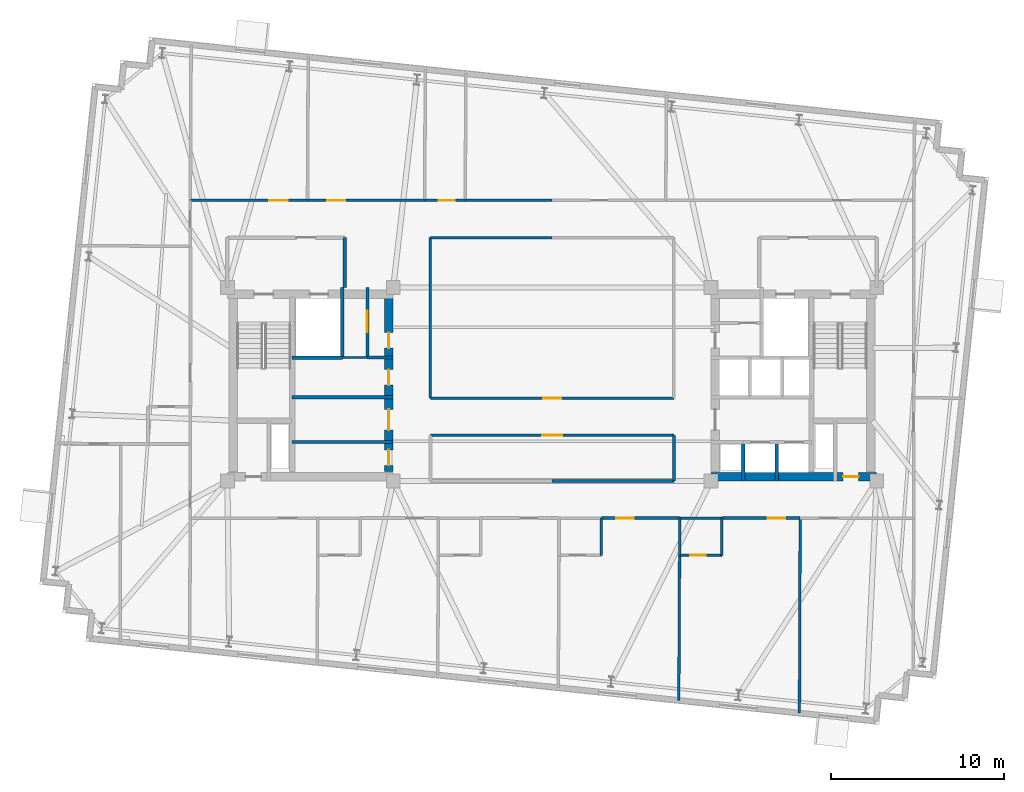
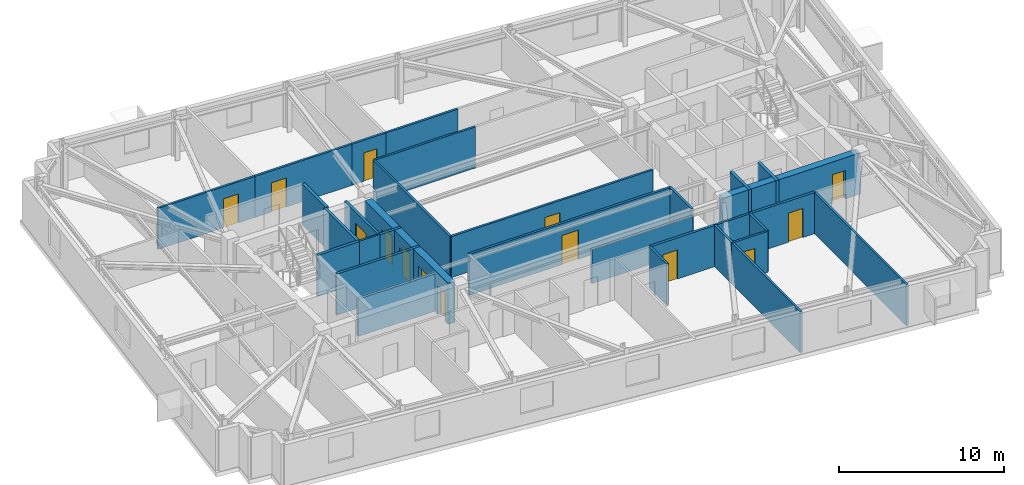
# One storey, part 7 of 11: 31 walls, 14 doors, 14 openings.
"""IFC4 building model written with IfcOpenShell, lengths in metres."""

import ifcopenshell
import ifcopenshell.guid

model = None  # the IFC model being written
_history = None  # IfcOwnerHistory: only IFC2X3 demands one
_inside = {}  # id of a spatial element -> (the spatial element, [elements in it])
_under = {}  # id of a project, library or spatial element -> (it, [spatial elements below it])
_declared = {}  # id of a project -> (the project, [libraries it declares])
_typed = {}  # id of a type object -> (the type object, [elements of that type])
_made_of = {}  # id of a material, layer set ... -> (it, [elements and type objects made of it])


def new_model(schema):
    """Start an empty IFC model of exactly this schema.

    Asked for "IFC4X3", IfcOpenShell would pick the latest addendum, in which some entities
    have other attributes; the version numbers below select the first issue.
    IFC2X3 requires an IfcOwnerHistory on every rooted entity: one is made here for all.
    """
    global model, _history
    if schema == "IFC4X3":
        model = ifcopenshell.file(schema_version=(4, 3, 0, 0))
    else:
        model = ifcopenshell.file(schema=schema)
    _inside.clear()
    _under.clear()
    _declared.clear()
    _typed.clear()
    _made_of.clear()
    _history = None
    if model.schema == "IFC2X3":
        org = make("IfcOrganization", Name="unknown")
        user = make(
            "IfcPersonAndOrganization",
            ThePerson=make("IfcPerson", FamilyName="unknown"),
            TheOrganization=org,
        )
        app = make(
            "IfcApplication",
            ApplicationDeveloper=org,
            Version="unknown",
            ApplicationFullName="unknown",
            ApplicationIdentifier="unknown",
        )
        _history = make(
            "IfcOwnerHistory",
            OwningUser=user,
            OwningApplication=app,
            ChangeAction="ADDED",
            CreationDate=0,
        )
    return model


def make(cls, **values):
    """One entity of the class cls with the attributes given. An attribute that is None is left unset."""
    return model.create_entity(
        cls, **{name: value for name, value in values.items() if value is not None}
    )


def rooted(cls, **values):
    """An entity with a GlobalId (a new one), such as an element, a storey or a relation."""
    return make(cls, GlobalId=ifcopenshell.guid.new(), OwnerHistory=_history, **values)


def si_unit(unit_type, name, prefix=None):
    """IfcSIUnit, for example si_unit("LENGTHUNIT", "METRE", prefix="MILLI")."""
    return make("IfcSIUnit", UnitType=unit_type, Prefix=prefix, Name=name)


def assignment(units):
    """IfcUnitAssignment: the units of a project."""
    return None if units is None else make("IfcUnitAssignment", Units=units)


def point(xyz):
    """IfcCartesianPoint."""
    return None if xyz is None else make("IfcCartesianPoint", Coordinates=xyz)


def direction(xyz):
    """IfcDirection."""
    return None if xyz is None else make("IfcDirection", DirectionRatios=xyz)


def frame(location, z_axis=None, x_axis=None):
    """IfcAxis2Placement3D, a coordinate frame: its origin and axes. An axis left out is left unset."""
    return make(
        "IfcAxis2Placement3D",
        Location=point(location),
        Axis=direction(z_axis),
        RefDirection=direction(x_axis),
    )


def frame_2d(location, x_axis=None):
    """IfcAxis2Placement2D, a coordinate frame in the plane: its origin and x axis."""
    return make(
        "IfcAxis2Placement2D", Location=point(location), RefDirection=direction(x_axis)
    )


def origin():
    """The frame at (0, 0, 0) with its axes left unset."""
    return frame((0.0, 0.0, 0.0))


def place(relative_to, where):
    """IfcLocalPlacement: puts the frame where relative to a parent placement (None: the world)."""
    return make(
        "IfcLocalPlacement", PlacementRelTo=relative_to, RelativePlacement=where
    )


def context(
    kind, dimensions, precision=None, world=None, true_north=None, identifier=None
):
    """IfcGeometricRepresentationContext, for example the 3D "Model" context."""
    return make(
        "IfcGeometricRepresentationContext",
        ContextIdentifier=identifier,
        ContextType=kind,
        CoordinateSpaceDimension=dimensions,
        Precision=precision,
        WorldCoordinateSystem=world,
        TrueNorth=true_north,
    )


def subcontext(parent, identifier, kind, view, scale=None):
    """IfcGeometricRepresentationSubContext, for example "Body" below "Model"."""
    return make(
        "IfcGeometricRepresentationSubContext",
        ContextIdentifier=identifier,
        ContextType=kind,
        ParentContext=parent,
        TargetScale=scale,
        TargetView=view,
    )


def project(units=None, contexts=None):
    """IfcProject with its units and contexts."""
    return rooted(
        "IfcProject",
        Name="project",
        RepresentationContexts=contexts,
        UnitsInContext=assignment(units),
    )


def spatial(cls, under=None, at=None, **own):
    """A site, building, storey or space (cls), placed at a placement, below another one or the project."""
    s = rooted(cls, ObjectPlacement=at, **own)
    if under is not None:
        _under.setdefault(under.id(), (under, []))[1].append(s)
    return s


def profile(cls, at=None, kind="AREA", **sizes):
    """A parametric profile (cls). Its sizes go by their IFC names, for example OverallWidth=200.0."""
    return make(cls, ProfileType=kind, Position=at, **sizes)


def rectangle(**sizes):
    """IfcRectangleProfileDef."""
    return profile("IfcRectangleProfileDef", **sizes)


def extrude(swept, where, along, depth):
    """IfcExtrudedAreaSolid: the profile swept, set in the frame where, extruded along a direction by depth."""
    return make(
        "IfcExtrudedAreaSolid",
        SweptArea=swept,
        Position=where,
        ExtrudedDirection=direction(along),
        Depth=depth,
    )


def shape(context_of_items, identifier, shape_type, items):
    """IfcShapeRepresentation: the items that make up one representation, for example the "Body"."""
    return make(
        "IfcShapeRepresentation",
        ContextOfItems=context_of_items,
        RepresentationIdentifier=identifier,
        RepresentationType=shape_type,
        Items=items,
    )


def material(Name=None, Category=None):
    """IfcMaterial."""
    return make("IfcMaterial", Name=Name, Category=Category)


def layer(
    of_material, thickness, ventilated=None, Name=None, Category=None, Priority=None
):
    """IfcMaterialLayer: one layer of a wall or slab, of a material (None: an air gap)."""
    return make(
        "IfcMaterialLayer",
        Material=of_material,
        LayerThickness=thickness,
        IsVentilated=ventilated,
        Name=Name,
        Category=Category,
        Priority=Priority,
    )


def layer_set(layers, Name=None):
    """IfcMaterialLayerSet."""
    return make("IfcMaterialLayerSet", MaterialLayers=layers, LayerSetName=Name)


def made_of(thing, what):
    """Note that an element or type object is made of a material, layer set ...; save() writes the relation."""
    if what is not None:
        _made_of.setdefault(what.id(), (what, []))[1].append(thing)
    return thing


def type_object(cls, material=None, **own):
    """A type object (cls), such as IfcWallType, which elements share."""
    return made_of(rooted(cls, **own), material)


def element(
    cls,
    number,
    at=None,
    inside=None,
    cuts=None,
    type_object=None,
    material=None,
    context=None,
    identifier="Body",
    shape_type=None,
    held_by="IfcProductDefinitionShape",
    body=None,
    shapes=None,
    **own,
):
    """One element of the class cls, such as IfcWall. Its Tag is "e" and its number.

    at: its placement. inside: the storey or other place that contains it. cuts: it is an
    opening in that element (IfcRelVoidsElement). A single representation is given by context,
    identifier, shape_type and body (its items); several are given by shapes. held_by: the class
    of the entity that holds the representations. save() writes the other relations.
    """
    e = rooted(cls, Tag="e%d" % number, ObjectPlacement=at, **own)
    if body is not None:
        shapes = [shape(context, identifier, shape_type, body)]
    if shapes is not None:
        e.Representation = make(held_by, Representations=shapes)
    if inside is not None:
        _inside.setdefault(inside.id(), (inside, []))[1].append(e)
    if cuts is not None:
        rooted(
            "IfcRelVoidsElement", RelatingBuildingElement=cuts, RelatedOpeningElement=e
        )
    if type_object is not None:
        _typed.setdefault(type_object.id(), (type_object, []))[1].append(e)
    return made_of(e, material)


def fill(opening, filler):
    """IfcRelFillsElement: the door or window that sits in an opening."""
    return rooted(
        "IfcRelFillsElement",
        RelatingOpeningElement=opening,
        RelatedBuildingElement=filler,
    )


def aggregate(whole, parts):
    """IfcRelAggregates: a whole, such as a stair, and the parts it consists of."""
    return rooted("IfcRelAggregates", RelatingObject=whole, RelatedObjects=parts)


def save(model, path):
    """Write the relations noted so far, then the file.

    IfcRelAggregates (storeys below a building ...), IfcRelContainedInSpatialStructure (elements
    in a storey), IfcRelDefinesByType, IfcRelAssociatesMaterial and IfcRelDeclares: one each for
    every whole, place, type object, material and project.
    """
    for whole, parts in _under.values():
        aggregate(whole, parts)
    for where, things in _inside.values():
        rooted(
            "IfcRelContainedInSpatialStructure",
            RelatedElements=things,
            RelatingStructure=where,
        )
    for kind, things in _typed.values():
        rooted("IfcRelDefinesByType", RelatedObjects=things, RelatingType=kind)
    for what, things in _made_of.values():
        rooted("IfcRelAssociatesMaterial", RelatedObjects=things, RelatingMaterial=what)
    for by, libraries in _declared.values():
        rooted("IfcRelDeclares", RelatingContext=by, RelatedDefinitions=libraries)
    model.write(path)


model = new_model("IFC4")

# Units and contexts
model_context = context("Model", 3, precision=1e-05, world=origin(), true_north=direction((0.0, 1.0)))
body_context = subcontext(model_context, "Body", "Model", "MODEL_VIEW")
ifc_project = project(units=[si_unit("LENGTHUNIT", "METRE"), si_unit("AREAUNIT", "SQUARE_METRE"), si_unit("VOLUMEUNIT", "CUBIC_METRE"), si_unit("PLANEANGLEUNIT", "RADIAN"), si_unit("MASSUNIT", "GRAM", prefix="KILO")], contexts=[model_context])

# Site, building, storey
site_placement = place(None, origin())
site = spatial("IfcSite", under=ifc_project, at=site_placement, CompositionType="ELEMENT")
building_placement = place(site_placement, origin())
building = spatial("IfcBuilding", under=site, at=building_placement, Name="Qobustan Lattice House", CompositionType="ELEMENT")
storey_placement = place(building_placement, frame((0.0, 0.0, 213.14990234375)))
storey = spatial("IfcBuildingStorey", under=building, at=storey_placement, Name="L60", CompositionType="ELEMENT", Elevation=213.14990234375)

# Wall, openings, doors
ifc_material_1 = material(Name="Concrete C50/60", Category="concrete")
ifc_layer_1 = layer(ifc_material_1, 0.5)
ifc_layer_set_1 = layer_set([ifc_layer_1], Name="Concrete C50/60")
wall_type_1 = type_object("IfcWallType", Name="WAL-CORE-500", PredefinedType="SHEAR", material=ifc_layer_set_1)
wall_1_placement = place(storey_placement, frame((-9.449951171875, -5.050048828125, 0.0), z_axis=(0.0, 0.0, 1.0), x_axis=(0.0, 1.0, 0.0)))
wall_1 = element("IfcWall", 1, at=wall_1_placement, inside=storey, type_object=wall_type_1, Name="L60 split-core shear wall CW-E", PredefinedType="SHEAR", context=body_context, shape_type="SweptSolid", body=[
    extrude(rectangle(XDim=10.10009765625, YDim=0.5, at=frame_2d((5.050048828125, 0.0))), origin(), (0.0, 0.0, 1.0), 3.0400390625),
])
opening_1_placement = place(wall_1_placement, frame((7.14990234375, 0.0, 0.0)))
opening_1 = element("IfcOpeningElement", 2, at=opening_1_placement, cuts=wall_1, Name="Opening RD-01", PredefinedType="OPENING", context=body_context, shape_type="SweptSolid", body=[
    extrude(rectangle(XDim=0.89990234375, YDim=2.10009765625, at=frame_2d((0.449951171875, 1.050048828125))), frame((0.0, 0.260009765625, 0.0), z_axis=(0.0, -1.0, 0.0), x_axis=(1.0, 0.0, 0.0)), (0.0, 0.0, 1.0), 0.52001953125),
])
opening_2_placement = place(wall_1_placement, frame((2.39990234375, 0.0, 0.0)))
opening_2 = element("IfcOpeningElement", 3, at=opening_2_placement, cuts=wall_1, Name="Opening FD-01", PredefinedType="OPENING", context=body_context, shape_type="SweptSolid", body=[
    extrude(rectangle(XDim=1.199951171875, YDim=2.14990234375, at=frame_2d((0.60009765625, 1.074951171875))), frame((0.0, 0.260009765625, 0.0), z_axis=(0.0, -1.0, 0.0), x_axis=(1.0, 0.0, 0.0)), (0.0, 0.0, 1.0), 0.52001953125),
])
opening_3_placement = place(wall_1_placement, frame((0.35009765625, 0.0, 0.0)))
opening_3 = element("IfcOpeningElement", 4, at=opening_3_placement, cuts=wall_1, Name="Opening RD-01", PredefinedType="OPENING", context=body_context, shape_type="SweptSolid", body=[
    extrude(rectangle(XDim=0.89990234375, YDim=2.10009765625, at=frame_2d((0.449951171875, 1.050048828125))), frame((0.0, 0.260009765625, 0.0), z_axis=(0.0, -1.0, 0.0), x_axis=(1.0, 0.0, 0.0)), (0.0, 0.0, 1.0), 0.52001953125),
])
opening_4_placement = place(wall_1_placement, frame((5.0, 0.0, 0.0)))
opening_4 = element("IfcOpeningElement", 5, at=opening_4_placement, cuts=wall_1, Name="Opening RD-01", PredefinedType="OPENING", context=body_context, shape_type="SweptSolid", body=[
    extrude(rectangle(XDim=0.89990234375, YDim=2.10009765625, at=frame_2d((0.449951171875, 1.050048828125))), frame((0.0, 0.260009765625, 0.0), z_axis=(0.0, -1.0, 0.0), x_axis=(1.0, 0.0, 0.0)), (0.0, 0.0, 1.0), 0.52001953125),
])
ifc_material_2 = material(Name="Persian walnut timber and steel frame door", Category="steel")
door_type_1 = type_object("IfcDoorType", Name="DOR-LOBBY-FD-1200x2150", OperationType="NOTDEFINED", PredefinedType="DOOR", material=ifc_material_2)
door_1_placement = place(opening_2_placement, origin())
door_1 = element("IfcDoor", 6, at=door_1_placement, inside=storey, type_object=door_type_1, Name="L60 West core foyer fire door", OperationType="SINGLE_SWING_LEFT", OverallHeight=2.14990234375, OverallWidth=1.199951171875, PredefinedType="DOOR", context=body_context, shape_type="SweptSolid", body=[
    extrude(rectangle(XDim=1.199951171875, YDim=2.14990234375, at=frame_2d((0.60009765625, 1.074951171875))), frame((0.0, 0.02490234375, 0.0), z_axis=(0.0, -1.0, 0.0), x_axis=(1.0, 0.0, 0.0)), (0.0, 0.0, 1.0), 0.050048828125),
])
fill(opening_2, door_1)
ifc_material_3 = material(Name="Persian walnut timber and steel frame door", Category="steel")
door_type_2 = type_object("IfcDoorType", Name="DOR-RISER-FD-900x2100", OperationType="NOTDEFINED", PredefinedType="DOOR", material=ifc_material_3)
door_2_placement = place(opening_1_placement, origin())
door_2 = element("IfcDoor", 7, at=door_2_placement, inside=storey, type_object=door_type_2, Name="L60 Data comms closet fire door", OperationType="SINGLE_SWING_RIGHT", OverallHeight=2.10009765625, OverallWidth=0.89990234375, PredefinedType="DOOR", context=body_context, shape_type="SweptSolid", body=[
    extrude(rectangle(XDim=0.89990234375, YDim=2.10009765625, at=frame_2d((0.449951171875, 1.050048828125))), frame((0.0, 0.02490234375, 0.0), z_axis=(0.0, -1.0, 0.0), x_axis=(1.0, 0.0, 0.0)), (0.0, 0.0, 1.0), 0.050048828125),
])
fill(opening_1, door_2)
door_3_placement = place(opening_3_placement, origin())
door_3 = element("IfcDoor", 8, at=door_3_placement, inside=storey, type_object=door_type_2, Name="L60 Collaborative study lounge fire door", OperationType="SINGLE_SWING_RIGHT", OverallHeight=2.10009765625, OverallWidth=0.89990234375, PredefinedType="DOOR", context=body_context, shape_type="SweptSolid", body=[
    extrude(rectangle(XDim=0.89990234375, YDim=2.10009765625, at=frame_2d((0.449951171875, 1.050048828125))), frame((0.0, 0.02490234375, 0.0), z_axis=(0.0, -1.0, 0.0), x_axis=(1.0, 0.0, 0.0)), (0.0, 0.0, 1.0), 0.050048828125),
])
fill(opening_3, door_3)
door_4_placement = place(opening_4_placement, origin())
door_4 = element("IfcDoor", 9, at=door_4_placement, inside=storey, type_object=door_type_2, Name="L60 Focus booth pod fire door", OperationType="SINGLE_SWING_LEFT", OverallHeight=2.10009765625, OverallWidth=0.89990234375, PredefinedType="DOOR", context=body_context, shape_type="SweptSolid", body=[
    extrude(rectangle(XDim=0.89990234375, YDim=2.10009765625, at=frame_2d((0.449951171875, 1.050048828125))), frame((0.0, 0.02490234375, 0.0), z_axis=(0.0, -1.0, 0.0), x_axis=(1.0, 0.0, 0.0)), (0.0, 0.0, 1.0), 0.050048828125),
])
fill(opening_4, door_4)

# Wall, opening, door
wall_2_placement = place(storey_placement, frame((9.199951171875, -5.35009765625, 0.0), z_axis=(0.0, 0.0, 1.0), x_axis=(1.0, 0.0, 0.0)))
wall_2 = element("IfcWall", 10, at=wall_2_placement, inside=storey, type_object=wall_type_1, Name="L60 split-core shear wall CE-S", PredefinedType="SHEAR", context=body_context, shape_type="SweptSolid", body=[
    extrude(rectangle(XDim=9.60009765625, YDim=0.5, at=frame_2d((4.800048828125, 0.0))), origin(), (0.0, 0.0, 1.0), 3.0400390625),
])
opening_5_placement = place(wall_2_placement, frame((7.64990234375, 0.0, 0.0)))
opening_5 = element("IfcOpeningElement", 11, at=opening_5_placement, cuts=wall_2, Name="Opening RD-01", PredefinedType="OPENING", context=body_context, shape_type="SweptSolid", body=[
    extrude(rectangle(XDim=0.89990234375, YDim=2.10009765625, at=frame_2d((0.449951171875, 1.050048828125))), frame((0.0, 0.260009765625, 0.0), z_axis=(0.0, -1.0, 0.0), x_axis=(1.0, 0.0, 0.0)), (0.0, 0.0, 1.0), 0.52001953125),
])
door_5_placement = place(opening_5_placement, origin())
door_5 = element("IfcDoor", 12, at=door_5_placement, inside=storey, type_object=door_type_2, Name="L60 core service riser access door E", OperationType="SINGLE_SWING_LEFT", OverallHeight=2.10009765625, OverallWidth=0.89990234375, PredefinedType="DOOR", context=body_context, shape_type="SweptSolid", body=[
    extrude(rectangle(XDim=0.89990234375, YDim=2.10009765625, at=frame_2d((0.449951171875, 1.050048828125))), frame((0.0, 0.02490234375, 0.0), z_axis=(0.0, -1.0, 0.0), x_axis=(1.0, 0.0, 0.0)), (0.0, 0.0, 1.0), 0.050048828125),
])
fill(opening_5, door_5)

ifc_material_4 = material(Name="Gypsum fireboard acoustic partition", Category="gypsum")
ifc_layer_2 = layer(ifc_material_4, 0.179931640625)
ifc_layer_set_2 = layer_set([ifc_layer_2], Name="Gypsum fireboard acoustic partition")
wall_type_2 = type_object("IfcWallType", Name="WAL-FIRE-180", PredefinedType="PARTITIONING", material=ifc_layer_set_2)
wall_3_placement = place(storey_placement, frame((-10.699951171875, 5.60009765625, 0.0), z_axis=(0.0, 0.0, 1.0), x_axis=(0.0, -1.0, 0.0)))
wall_3 = element("IfcWall", 13, at=wall_3_placement, inside=storey, type_object=wall_type_2, Name="L60 interior partition 6", PredefinedType="PARTITIONING", context=body_context, shape_type="SweptSolid", body=[
    extrude(rectangle(XDim=4.050048828125, YDim=0.179931640625, at=frame_2d((2.02490234375, 0.0))), origin(), (0.0, 0.0, 1.0), 3.0400390625),
])
opening_6_placement = place(wall_3_placement, frame((1.324951171875, 0.0, 0.0)))
opening_6 = element("IfcOpeningElement", 14, at=opening_6_placement, cuts=wall_3, Name="Opening FD-03", PredefinedType="OPENING", context=body_context, shape_type="SweptSolid", body=[
    extrude(rectangle(XDim=1.25, YDim=2.199951171875, at=frame_2d((0.625, 1.10009765625))), frame((0.0, 0.099853515625, 0.0), z_axis=(0.0, -1.0, 0.0), x_axis=(1.0, 0.0, 0.0)), (0.0, 0.0, 1.0), 0.199951171875),
])
ifc_material_5 = material(Name="Persian walnut timber and steel frame door", Category="steel")
door_type_3 = type_object("IfcDoorType", Name="DOR-PLANT-1250x2200", OperationType="NOTDEFINED", PredefinedType="DOOR", material=ifc_material_5)
door_6_placement = place(opening_6_placement, origin())
door_6 = element("IfcDoor", 15, at=door_6_placement, inside=storey, type_object=door_type_3, Name="L60 Data comms closet to Linen store door", OperationType="SINGLE_SWING_LEFT", OverallHeight=2.199951171875, OverallWidth=1.25, PredefinedType="DOOR", context=body_context, shape_type="SweptSolid", body=[
    extrude(rectangle(XDim=1.25, YDim=2.199951171875, at=frame_2d((0.625, 1.10009765625))), frame((0.0, 0.02490234375, 0.0), z_axis=(0.0, -1.0, 0.0), x_axis=(1.0, 0.0, 0.0)), (0.0, 0.0, 1.0), 0.050048828125),
])
fill(opening_6, door_6)

# Walls
wall_4_placement = place(storey_placement, frame((-10.699951171875, 1.550048828125, 0.0), z_axis=(0.0, 0.0, 1.0), x_axis=(1.0, 0.0, 0.0)))
element("IfcWall", 16, at=wall_4_placement, inside=storey, type_object=wall_type_2, Name="L60 interior partition 7", PredefinedType="PARTITIONING", context=body_context, shape_type="SweptSolid", body=[
    extrude(rectangle(XDim=1.5, YDim=0.179931640625, at=frame_2d((0.75, 0.0))), origin(), (0.0, 0.0, 1.0), 3.0400390625),
])
wall_5_placement = place(storey_placement, frame((-15.050048828125, -3.35009765625, 0.0), z_axis=(0.0, 0.0, 1.0), x_axis=(1.0, 0.0, 0.0)))
element("IfcWall", 17, at=wall_5_placement, inside=storey, type_object=wall_type_2, Name="L60 interior partition 10", PredefinedType="PARTITIONING", context=body_context, shape_type="SweptSolid", body=[
    extrude(rectangle(XDim=5.85009765625, YDim=0.179931640625, at=frame_2d((2.925048828125, 0.0))), origin(), (0.0, 0.0, 1.0), 2.755126953125),
])
wall_6_placement = place(storey_placement, frame((-9.199951171875, -0.75, 0.0), z_axis=(0.0, 0.0, 1.0), x_axis=(-1.0, 0.0, 0.0)))
element("IfcWall", 18, at=wall_6_placement, inside=storey, type_object=wall_type_2, Name="L60 interior partition 11", PredefinedType="PARTITIONING", context=body_context, shape_type="SweptSolid", body=[
    extrude(rectangle(XDim=5.85009765625, YDim=0.179931640625, at=frame_2d((2.925048828125, 0.0))), origin(), (0.0, 0.0, 1.0), 3.0400390625),
])

# Wall, opening, door
wall_7_placement = place(storey_placement, frame((7.383056640625, -7.75, 0.0), z_axis=(0.0, 0.0, 1.0), x_axis=(-1.0, 0.0, 0.0)))
wall_7 = element("IfcWall", 19, at=wall_7_placement, inside=storey, type_object=wall_type_2, Name="L60 interior partition 53", PredefinedType="PARTITIONING", context=body_context, shape_type="SweptSolid", body=[
    extrude(rectangle(XDim=4.532958984375, YDim=0.179931640625, at=frame_2d((2.2666015625, 0.0))), origin(), (0.0, 0.0, 1.0), 3.0400390625),
])
opening_7_placement = place(wall_7_placement, frame((2.656494140625, 0.0, 0.0)))
opening_7 = element("IfcOpeningElement", 20, at=opening_7_placement, cuts=wall_7, Name="Opening FD-02", PredefinedType="OPENING", context=body_context, shape_type="SweptSolid", body=[
    extrude(rectangle(XDim=1.0, YDim=2.14990234375, at=frame_2d((0.5, 1.074951171875))), frame((0.0, 0.099853515625, 0.0), z_axis=(0.0, -1.0, 0.0), x_axis=(1.0, 0.0, 0.0)), (0.0, 0.0, 1.0), 0.199951171875),
])
ifc_material_6 = material(Name="Persian walnut timber and steel frame door", Category="steel")
door_type_4 = type_object("IfcDoorType", Name="DOR-UNIT-FD-1000x2150", OperationType="NOTDEFINED", PredefinedType="DOOR", material=ifc_material_6)
door_7_placement = place(opening_7_placement, origin())
door_7 = element("IfcDoor", 21, at=door_7_placement, inside=storey, type_object=door_type_4, Name="L60 South-east floor corridor to Kitchenette and studio apartment L60-S4 door", OperationType="SINGLE_SWING_RIGHT", OverallHeight=2.14990234375, OverallWidth=1.0, PredefinedType="DOOR", context=body_context, shape_type="SweptSolid", body=[
    extrude(rectangle(XDim=1.0, YDim=2.14990234375, at=frame_2d((0.5, 1.074951171875))), frame((0.0, 0.02490234375, 0.0), z_axis=(0.0, -1.0, 0.0), x_axis=(1.0, 0.0, 0.0)), (0.0, 0.0, 1.0), 0.050048828125),
])
fill(opening_7, door_7)

wall_8_placement = place(storey_placement, frame((14.366943359375, -7.75, 0.0), z_axis=(0.0, 0.0, 1.0), x_axis=(-1.0, 0.0, 0.0)))
wall_8 = element("IfcWall", 22, at=wall_8_placement, inside=storey, type_object=wall_type_2, Name="L60 interior partition 55", PredefinedType="PARTITIONING", context=body_context, shape_type="SweptSolid", body=[
    extrude(rectangle(XDim=4.533935546875, YDim=0.179931640625, at=frame_2d((2.26708984375, 0.0))), origin(), (0.0, 0.0, 1.0), 3.0400390625),
])
opening_8_placement = place(wall_8_placement, frame((0.876708984375, 0.0, 0.0)))
opening_8 = element("IfcOpeningElement", 23, at=opening_8_placement, cuts=wall_8, Name="Opening FD-02", PredefinedType="OPENING", context=body_context, shape_type="SweptSolid", body=[
    extrude(rectangle(XDim=1.0, YDim=2.14990234375, at=frame_2d((0.5, 1.074951171875))), frame((0.0, 0.099853515625, 0.0), z_axis=(0.0, -1.0, 0.0), x_axis=(1.0, 0.0, 0.0)), (0.0, 0.0, 1.0), 0.199951171875),
])
door_8_placement = place(opening_8_placement, origin())
door_8 = element("IfcDoor", 24, at=door_8_placement, inside=storey, type_object=door_type_4, Name="L60 South-east floor corridor to Kitchenette and studio apartment L60-S5 door", OperationType="SINGLE_SWING_LEFT", OverallHeight=2.14990234375, OverallWidth=1.0, PredefinedType="DOOR", context=body_context, shape_type="SweptSolid", body=[
    extrude(rectangle(XDim=1.0, YDim=2.14990234375, at=frame_2d((0.5, 1.074951171875))), frame((0.0, 0.02490234375, 0.0), z_axis=(0.0, -1.0, 0.0), x_axis=(1.0, 0.0, 0.0)), (0.0, 0.0, 1.0), 0.050048828125),
])
fill(opening_8, door_8)

# Wall
ifc_material_7 = material(Name="Lightweight acoustic stud partition", Category="gypsum")
ifc_layer_3 = layer(ifc_material_7, 0.125)
ifc_layer_set_3 = layer_set([ifc_layer_3], Name="Lightweight acoustic stud partition")
wall_type_3 = type_object("IfcWallType", Name="WAL-PART-125", PredefinedType="PARTITIONING", material=ifc_layer_set_3)
wall_9_placement = place(storey_placement, frame((-12.14990234375, 1.550048828125, 0.0), z_axis=(0.0, 0.0, 1.0), x_axis=(1.0, 0.0, 0.0)))
element("IfcWall", 25, at=wall_9_placement, inside=storey, type_object=wall_type_3, Name="L60 interior partition 9", PredefinedType="PARTITIONING", context=body_context, shape_type="SweptSolid", body=[
    extrude(rectangle(XDim=1.449951171875, YDim=0.125, at=frame_2d((0.72509765625, 0.0))), origin(), (0.0, 0.0, 1.0), 3.0400390625),
])

# Wall, opening, door
ifc_material_8 = material(Name="Acoustic twin-stud gypsum partition", Category="gypsum")
ifc_layer_4 = layer(ifc_material_8, 0.14990234375)
ifc_layer_set_4 = layer_set([ifc_layer_4], Name="Acoustic twin-stud gypsum partition")
wall_type_4 = type_object("IfcWallType", Name="WAL-PART-150", PredefinedType="PARTITIONING", material=ifc_layer_set_4)
wall_10_placement = place(storey_placement, frame((-20.949951171875, 10.64990234375, 0.0), z_axis=(0.0, 0.0, 1.0), x_axis=(1.0, 0.0, 0.0)))
wall_10 = element("IfcWall", 26, at=wall_10_placement, inside=storey, type_object=wall_type_4, Name="L60 interior partition 35", PredefinedType="PARTITIONING", context=body_context, shape_type="SweptSolid", body=[
    extrude(rectangle(XDim=6.783447265625, YDim=0.14990234375, at=frame_2d((3.3916015625, 0.0))), origin(), (0.0, 0.0, 1.0), 3.0400390625),
])
opening_9_placement = place(wall_10_placement, frame((4.581787109375, 0.0, 0.0)))
opening_9 = element("IfcOpeningElement", 27, at=opening_9_placement, cuts=wall_10, Name="Opening ID-02", PredefinedType="OPENING", context=body_context, shape_type="SweptSolid", body=[
    extrude(rectangle(XDim=1.050048828125, YDim=2.14990234375, at=frame_2d((0.52490234375, 1.074951171875))), frame((0.0, 0.0849609375, 0.0), z_axis=(0.0, -1.0, 0.0), x_axis=(1.0, 0.0, 0.0)), (0.0, 0.0, 1.0), 0.169921875),
])
ifc_material_9 = material(Name="Persian walnut timber and steel frame door", Category="steel")
door_type_5 = type_object("IfcDoorType", Name="DOR-STUDY-1050x2150", OperationType="NOTDEFINED", PredefinedType="DOOR", material=ifc_material_9)
door_9_placement = place(opening_9_placement, origin())
door_9 = element("IfcDoor", 28, at=door_9_placement, inside=storey, type_object=door_type_5, Name="L60 North-west floor corridor to Focus study room N1A door", OperationType="SINGLE_SWING_LEFT", OverallHeight=2.14990234375, OverallWidth=1.050048828125, PredefinedType="DOOR", context=body_context, shape_type="SweptSolid", body=[
    extrude(rectangle(XDim=1.050048828125, YDim=2.14990234375, at=frame_2d((0.52490234375, 1.074951171875))), frame((0.0, 0.02490234375, 0.0), z_axis=(0.0, -1.0, 0.0), x_axis=(1.0, 0.0, 0.0)), (0.0, 0.0, 1.0), 0.050048828125),
])
fill(opening_9, door_9)

wall_11_placement = place(storey_placement, frame((-14.16650390625, 10.64990234375, 0.0), z_axis=(0.0, 0.0, 1.0), x_axis=(1.0, 0.0, 0.0)))
wall_11 = element("IfcWall", 29, at=wall_11_placement, inside=storey, type_object=wall_type_4, Name="L60 interior partition 36", PredefinedType="PARTITIONING", context=body_context, shape_type="SweptSolid", body=[
    extrude(rectangle(XDim=6.783447265625, YDim=0.14990234375, at=frame_2d((3.3916015625, 0.0))), origin(), (0.0, 0.0, 1.0), 3.0400390625),
])
opening_10_placement = place(wall_11_placement, frame((1.151611328125, 0.0, 0.0)))
opening_10 = element("IfcOpeningElement", 30, at=opening_10_placement, cuts=wall_11, Name="Opening ID-02", PredefinedType="OPENING", context=body_context, shape_type="SweptSolid", body=[
    extrude(rectangle(XDim=1.050048828125, YDim=2.14990234375, at=frame_2d((0.52490234375, 1.074951171875))), frame((0.0, 0.0849609375, 0.0), z_axis=(0.0, -1.0, 0.0), x_axis=(1.0, 0.0, 0.0)), (0.0, 0.0, 1.0), 0.169921875),
])
door_10_placement = place(opening_10_placement, origin())
door_10 = element("IfcDoor", 31, at=door_10_placement, inside=storey, type_object=door_type_5, Name="L60 North-west floor corridor to Focus study room N1B door", OperationType="SINGLE_SWING_RIGHT", OverallHeight=2.14990234375, OverallWidth=1.050048828125, PredefinedType="DOOR", context=body_context, shape_type="SweptSolid", body=[
    extrude(rectangle(XDim=1.050048828125, YDim=2.14990234375, at=frame_2d((0.52490234375, 1.074951171875))), frame((0.0, 0.02490234375, 0.0), z_axis=(0.0, -1.0, 0.0), x_axis=(1.0, 0.0, 0.0)), (0.0, 0.0, 1.0), 0.050048828125),
])
fill(opening_10, door_10)

# Walls
wall_12_placement = place(storey_placement, frame((-5.032958984375, 10.64990234375, 0.0), z_axis=(0.0, 0.0, 1.0), x_axis=(1.0, 0.0, 0.0)))
element("IfcWall", 32, at=wall_12_placement, inside=storey, type_object=wall_type_4, Name="L60 interior partition 38", PredefinedType="PARTITIONING", context=body_context, shape_type="SweptSolid", body=[
    extrude(rectangle(XDim=5.032958984375, YDim=0.14990234375, at=frame_2d((2.5166015625, 0.0))), origin(), (0.0, 0.0, 1.0), 3.0400390625),
])
wall_13_placement = place(storey_placement, frame((0.0, 8.5, 0.0), z_axis=(0.0, 0.0, 1.0), x_axis=(-1.0, 0.0, 0.0)))
element("IfcWall", 33, at=wall_13_placement, inside=storey, type_object=wall_type_4, Name="L60 interior partition 39", PredefinedType="PARTITIONING", context=body_context, shape_type="SweptSolid", body=[
    extrude(rectangle(XDim=7.050048828125, YDim=0.14990234375, at=frame_2d((3.52490234375, 0.0))), origin(), (0.0, 0.0, 1.0), 3.0400390625),
])

# Wall, opening, door
wall_14_placement = place(storey_placement, frame((-7.050048828125, -0.800048828125, 0.0), z_axis=(0.0, 0.0, 1.0), x_axis=(1.0, 0.0, 0.0)))
wall_14 = element("IfcWall", 34, at=wall_14_placement, inside=storey, type_object=wall_type_4, Name="L60 interior partition 65", PredefinedType="PARTITIONING", context=body_context, shape_type="SweptSolid", body=[
    extrude(rectangle(XDim=14.10009765625, YDim=0.14990234375, at=frame_2d((7.050048828125, 0.0))), origin(), (0.0, 0.0, 1.0), 3.0400390625),
])
opening_11_placement = place(wall_14_placement, frame((6.52490234375, 0.0, 0.0)))
opening_11 = element("IfcOpeningElement", 35, at=opening_11_placement, cuts=wall_14, Name="Opening ID-02", PredefinedType="OPENING", context=body_context, shape_type="SweptSolid", body=[
    extrude(rectangle(XDim=1.050048828125, YDim=2.14990234375, at=frame_2d((0.52490234375, 1.074951171875))), frame((0.0, 0.0849609375, 0.0), z_axis=(0.0, -1.0, 0.0), x_axis=(1.0, 0.0, 0.0)), (0.0, 0.0, 1.0), 0.169921875),
])
door_11_placement = place(opening_11_placement, origin())
door_11 = element("IfcDoor", 36, at=door_11_placement, inside=storey, type_object=door_type_5, Name="L60 Central spine corridor to Central study commons door", OperationType="SINGLE_SWING_RIGHT", OverallHeight=2.14990234375, OverallWidth=1.050048828125, PredefinedType="DOOR", context=body_context, shape_type="SweptSolid", body=[
    extrude(rectangle(XDim=1.050048828125, YDim=2.14990234375, at=frame_2d((0.52490234375, 1.074951171875))), frame((0.0, 0.02490234375, 0.0), z_axis=(0.0, -1.0, 0.0), x_axis=(1.0, 0.0, 0.0)), (0.0, 0.0, 1.0), 0.050048828125),
])
fill(opening_11, door_11)

# Walls
wall_15_placement = place(storey_placement, frame((-7.050048828125, 8.5, 0.0), z_axis=(0.0, 0.0, 1.0), x_axis=(0.0, -1.0, 0.0)))
element("IfcWall", 37, at=wall_15_placement, inside=storey, type_object=wall_type_4, Name="L60 interior partition 67", PredefinedType="PARTITIONING", context=body_context, shape_type="SweptSolid", body=[
    extrude(rectangle(XDim=9.300048828125, YDim=0.14990234375, at=frame_2d((4.64990234375, 0.0))), origin(), (0.0, 0.0, 1.0), 3.0400390625),
])
wall_16_placement = place(storey_placement, frame((7.383056640625, -9.89990234375, 0.0), z_axis=(0.0, 0.0, 1.0), x_axis=(-0.00523233441, -0.999986311245, 0.0)))
element("IfcWall", 38, at=wall_16_placement, inside=storey, type_object=wall_type_4, Name="L60 interior partition 99", PredefinedType="PARTITIONING", context=body_context, shape_type="SweptSolid", body=[
    extrude(rectangle(XDim=8.398681640625, YDim=0.14990234375, at=frame_2d((4.19921875, 0.0))), origin(), (0.0, 0.0, 1.0), 3.0400390625),
])
wall_17_placement = place(storey_placement, frame((14.366943359375, -7.75, 0.0), z_axis=(0.0, 0.0, 1.0), x_axis=(-0.003894978353, -0.999992414543, 0.0)))
element("IfcWall", 39, at=wall_17_placement, inside=storey, type_object=wall_type_4, Name="L60 interior partition 103", PredefinedType="PARTITIONING", context=body_context, shape_type="SweptSolid", body=[
    extrude(rectangle(XDim=11.282470703125, YDim=0.14990234375, at=frame_2d((5.64111328125, 0.0))), origin(), (0.0, 0.0, 1.0), 3.0400390625),
])
ifc_material_10 = material(Name="High-mass acoustic twin-stud partition", Category="gypsum")
ifc_layer_5 = layer(ifc_material_10, 0.1650390625)
ifc_layer_set_5 = layer_set([ifc_layer_5], Name="High-mass acoustic twin-stud partition")
wall_type_5 = type_object("IfcWallType", Name="WAL-PART-165", PredefinedType="PARTITIONING", material=ifc_layer_set_5)
wall_18_placement = place(storey_placement, frame((0.0, -5.60009765625, 0.0), z_axis=(0.0, 0.0, 1.0), x_axis=(1.0, 0.0, 0.0)))
element("IfcWall", 40, at=wall_18_placement, inside=storey, type_object=wall_type_5, Name="L60 interior partition 58", PredefinedType="PARTITIONING", context=body_context, shape_type="SweptSolid", body=[
    extrude(rectangle(XDim=7.050048828125, YDim=0.1650390625, at=frame_2d((3.52490234375, 0.0))), origin(), (0.0, 0.0, 1.0), 2.525146484375),
])

# Wall, opening, door
wall_19_placement = place(storey_placement, frame((7.050048828125, -2.949951171875, 0.0), z_axis=(0.0, 0.0, 1.0), x_axis=(-1.0, 0.0, 0.0)))
wall_19 = element("IfcWall", 41, at=wall_19_placement, inside=storey, type_object=wall_type_5, Name="L60 interior partition 66", PredefinedType="PARTITIONING", context=body_context, shape_type="SweptSolid", body=[
    extrude(rectangle(XDim=14.10009765625, YDim=0.1650390625, at=frame_2d((7.050048828125, 0.0))), origin(), (0.0, 0.0, 1.0), 3.0400390625),
])
opening_12_placement = place(wall_19_placement, frame((6.47509765625, 0.0, 0.0)))
opening_12 = element("IfcOpeningElement", 42, at=opening_12_placement, cuts=wall_19, Name="Opening ID-03", PredefinedType="OPENING", context=body_context, shape_type="SweptSolid", body=[
    extrude(rectangle(XDim=1.14990234375, YDim=2.14990234375, at=frame_2d((0.574951171875, 1.074951171875))), frame((0.0, 0.092529296875, 0.0), z_axis=(0.0, -1.0, 0.0), x_axis=(1.0, 0.0, 0.0)), (0.0, 0.0, 1.0), 0.18505859375),
])
ifc_material_11 = material(Name="Persian walnut timber and steel frame door", Category="steel")
door_type_6 = type_object("IfcDoorType", Name="DOR-KITCH-1150x2150", OperationType="NOTDEFINED", PredefinedType="DOOR", material=ifc_material_11)
door_12_placement = place(opening_12_placement, origin())
door_12 = element("IfcDoor", 43, at=door_12_placement, inside=storey, type_object=door_type_6, Name="L60 Central spine corridor to Shared kitchen and tea room door", OperationType="SINGLE_SWING_LEFT", OverallHeight=2.14990234375, OverallWidth=1.14990234375, PredefinedType="DOOR", context=body_context, shape_type="SweptSolid", body=[
    extrude(rectangle(XDim=1.14990234375, YDim=2.14990234375, at=frame_2d((0.574951171875, 1.074951171875))), frame((0.0, 0.02490234375, 0.0), z_axis=(0.0, -1.0, 0.0), x_axis=(1.0, 0.0, 0.0)), (0.0, 0.0, 1.0), 0.050048828125),
])
fill(opening_12, door_12)

# Walls
wall_20_placement = place(storey_placement, frame((7.050048828125, -5.60009765625, 0.0), z_axis=(0.0, 0.0, 1.0), x_axis=(0.0, 1.0, 0.0)))
element("IfcWall", 44, at=wall_20_placement, inside=storey, type_object=wall_type_5, Name="L60 interior partition 70", PredefinedType="PARTITIONING", context=body_context, shape_type="SweptSolid", body=[
    extrude(rectangle(XDim=2.650146484375, YDim=0.1650390625, at=frame_2d((1.3251953125, 0.0))), origin(), (0.0, 0.0, 1.0), 3.0400390625),
])
ifc_material_12 = material(Name="Two-hour gypsum fireboard acoustic partition", Category="gypsum")
ifc_layer_6 = layer(ifc_material_12, 0.199951171875)
ifc_layer_set_6 = layer_set([ifc_layer_6], Name="Two-hour gypsum fireboard acoustic partition")
wall_type_6 = type_object("IfcWallType", Name="WAL-PROT-200", PredefinedType="PARTITIONING", material=ifc_layer_set_6)
wall_21_placement = place(storey_placement, frame((-12.0, 5.60009765625, 0.0), z_axis=(0.0, 0.0, 1.0), x_axis=(0.0, 1.0, 0.0)))
element("IfcWall", 45, at=wall_21_placement, inside=storey, type_object=wall_type_6, Name="L60 interior partition 5", PredefinedType="PARTITIONING", context=body_context, shape_type="SweptSolid", body=[
    extrude(rectangle(XDim=2.89990234375, YDim=0.199951171875, at=frame_2d((1.449951171875, 0.0))), origin(), (0.0, 0.0, 1.0), 3.0400390625),
])
ifc_material_13 = material(Name="Concrete C40/50", Category="concrete")
ifc_layer_7 = layer(ifc_material_13, 0.199951171875)
ifc_layer_set_7 = layer_set([ifc_layer_7], Name="Concrete C40/50")
wall_type_7 = type_object("IfcWallType", Name="WAL-SHAFT-200", PredefinedType="PARTITIONING", material=ifc_layer_set_7)
wall_22_placement = place(storey_placement, frame((-12.14990234375, 1.550048828125, 0.0), z_axis=(0.0, 0.0, 1.0), x_axis=(0.0, 1.0, 0.0)))
element("IfcWall", 46, at=wall_22_placement, inside=storey, type_object=wall_type_7, Name="L60 interior partition 2", PredefinedType="PARTITIONING", context=body_context, shape_type="SweptSolid", body=[
    extrude(rectangle(XDim=4.050048828125, YDim=0.199951171875, at=frame_2d((2.02490234375, 0.0))), origin(), (0.0, 0.0, 1.0), 3.0400390625),
])
for number, where, z_axis, x_axis, name in (
    (47, (11.080078125, -5.60009765625, 0.0), (0.0, 0.0, 1.0), (0.0, 1.0, 0.0), "L60 interior partition 30"),
    (48, (13.02001953125, -5.60009765625, 0.0), (0.0, 0.0, 1.0), (0.0, 1.0, 0.0), "L60 interior partition 31"),
):
    element("IfcWall", number, at=place(storey_placement, frame(where, z_axis=z_axis, x_axis=x_axis)), inside=storey, type_object=wall_type_7, Name=name, PredefinedType="PARTITIONING", context=body_context, shape_type="SweptSolid", body=[
        extrude(rectangle(XDim=2.25, YDim=0.199951171875, at=frame_2d((1.125, 0.0))), origin(), (0.0, 0.0, 1.0), 3.0400390625),
    ])
wall_23_placement = place(storey_placement, frame((-15.050048828125, 1.550048828125, 0.0), z_axis=(0.0, 0.0, 1.0), x_axis=(1.0, 0.0, 0.0)))
element("IfcWall", 49, at=wall_23_placement, inside=storey, type_object=wall_type_7, Name="L60 interior partition 104", PredefinedType="PARTITIONING", context=body_context, shape_type="SweptSolid", body=[
    extrude(rectangle(XDim=2.900146484375, YDim=0.199951171875, at=frame_2d((1.4501953125, 0.0))), origin(), (0.0, 0.0, 1.0), 3.0400390625),
])

# Wall, opening, door
ifc_material_14 = material(Name="Moisture-resistant acoustic plumbing wall", Category="gypsum")
ifc_layer_8 = layer(ifc_material_14, 0.14990234375)
ifc_layer_set_8 = layer_set([ifc_layer_8], Name="Moisture-resistant acoustic plumbing wall")
wall_type_8 = type_object("IfcWallType", Name="WAL-WET-150", PredefinedType="PLUMBINGWALL", material=ifc_layer_set_8)
wall_24_placement = place(storey_placement, frame((-7.383056640625, 10.64990234375, 0.0), z_axis=(0.0, 0.0, 1.0), x_axis=(1.0, 0.0, 0.0)))
wall_24 = element("IfcWall", 50, at=wall_24_placement, inside=storey, type_object=wall_type_8, Name="L60 interior partition 37", PredefinedType="PLUMBINGWALL", context=body_context, shape_type="SweptSolid", body=[
    extrude(rectangle(XDim=2.35009765625, YDim=0.14990234375, at=frame_2d((1.175048828125, 0.0))), origin(), (0.0, 0.0, 1.0), 3.0400390625),
])
opening_13_placement = place(wall_24_placement, frame((0.833740234375, 0.0, 0.0)))
opening_13 = element("IfcOpeningElement", 51, at=opening_13_placement, cuts=wall_24, Name="Opening WD-01", PredefinedType="OPENING", context=body_context, shape_type="SweptSolid", body=[
    extrude(rectangle(XDim=0.89990234375, YDim=2.10009765625, at=frame_2d((0.449951171875, 1.050048828125))), frame((0.0, 0.0849609375, 0.0), z_axis=(0.0, -1.0, 0.0), x_axis=(1.0, 0.0, 0.0)), (0.0, 0.0, 1.0), 0.169921875),
])
ifc_material_15 = material(Name="Persian walnut timber and steel frame door", Category="steel")
door_type_7 = type_object("IfcDoorType", Name="DOR-WET-900x2100", OperationType="NOTDEFINED", PredefinedType="DOOR", material=ifc_material_15)
door_13_placement = place(opening_13_placement, origin())
door_13 = element("IfcDoor", 52, at=door_13_placement, inside=storey, type_object=door_type_7, Name="L60 North-west floor corridor to Accessible WC door", OperationType="SINGLE_SWING_LEFT", OverallHeight=2.10009765625, OverallWidth=0.89990234375, PredefinedType="DOOR", context=body_context, shape_type="SweptSolid", body=[
    extrude(rectangle(XDim=0.89990234375, YDim=2.10009765625, at=frame_2d((0.449951171875, 1.050048828125))), frame((0.0, 0.02490234375, 0.0), z_axis=(0.0, -1.0, 0.0), x_axis=(1.0, 0.0, 0.0)), (0.0, 0.0, 1.0), 0.050048828125),
])
fill(opening_13, door_13)

# Walls
wall_25_placement = place(storey_placement, frame((9.8330078125, -7.75, 0.0), z_axis=(0.0, 0.0, 1.0), x_axis=(-1.0, 0.0, 0.0)))
element("IfcWall", 53, at=wall_25_placement, inside=storey, type_object=wall_type_8, Name="L60 interior partition 56", PredefinedType="PLUMBINGWALL", context=body_context, shape_type="SweptSolid", body=[
    extrude(rectangle(XDim=2.449951171875, YDim=0.14990234375, at=frame_2d((1.22509765625, 0.0))), origin(), (0.0, 0.0, 1.0), 3.0400390625),
])
for number, where, z_axis, x_axis, name in (
    (54, (2.85009765625, -9.89990234375, 0.0), (0.0, 0.0, 1.0), (0.0, 1.0, 0.0), "L60 interior partition 98"),
    (55, (7.383056640625, -7.75, 0.0), (0.0, 0.0, 1.0), (0.0, -1.0, 0.0), "L60 interior partition 100"),
):
    element("IfcWall", number, at=place(storey_placement, frame(where, z_axis=z_axis, x_axis=x_axis)), inside=storey, type_object=wall_type_8, Name=name, PredefinedType="PLUMBINGWALL", context=body_context, shape_type="SweptSolid", body=[
        extrude(rectangle(XDim=2.14990234375, YDim=0.14990234375, at=frame_2d((1.074951171875, 0.0))), origin(), (0.0, 0.0, 1.0), 3.0400390625),
    ])

# Wall, opening, door
wall_26_placement = place(storey_placement, frame((7.383056640625, -9.89990234375, 0.0), z_axis=(0.0, 0.0, 1.0), x_axis=(1.0, 0.0, 0.0)))
wall_26 = element("IfcWall", 56, at=wall_26_placement, inside=storey, type_object=wall_type_8, Name="L60 interior partition 101", PredefinedType="PLUMBINGWALL", context=body_context, shape_type="SweptSolid", body=[
    extrude(rectangle(XDim=2.449951171875, YDim=0.14990234375, at=frame_2d((1.22509765625, 0.0))), origin(), (0.0, 0.0, 1.0), 3.0400390625),
])
opening_14_placement = place(wall_26_placement, frame((0.62890625, 0.0, 0.0)))
opening_14 = element("IfcOpeningElement", 57, at=opening_14_placement, cuts=wall_26, Name="Opening WD-01", PredefinedType="OPENING", context=body_context, shape_type="SweptSolid", body=[
    extrude(rectangle(XDim=0.89990234375, YDim=2.10009765625, at=frame_2d((0.449951171875, 1.050048828125))), frame((0.0, 0.0849609375, 0.0), z_axis=(0.0, -1.0, 0.0), x_axis=(1.0, 0.0, 0.0)), (0.0, 0.0, 1.0), 0.169921875),
])
door_14_placement = place(opening_14_placement, origin())
door_14 = element("IfcDoor", 58, at=door_14_placement, inside=storey, type_object=door_type_7, Name="L60 Kitchenette and studio apartment L60-S5 to En-suite bathroom L60-S5 door", OperationType="SINGLE_SWING_LEFT", OverallHeight=2.10009765625, OverallWidth=0.89990234375, PredefinedType="DOOR", context=body_context, shape_type="SweptSolid", body=[
    extrude(rectangle(XDim=0.89990234375, YDim=2.10009765625, at=frame_2d((0.449951171875, 1.050048828125))), frame((0.0, 0.02490234375, 0.0), z_axis=(0.0, -1.0, 0.0), x_axis=(1.0, 0.0, 0.0)), (0.0, 0.0, 1.0), 0.050048828125),
])
fill(opening_14, door_14)

# Wall
wall_27_placement = place(storey_placement, frame((9.8330078125, -9.89990234375, 0.0), z_axis=(0.0, 0.0, 1.0), x_axis=(0.0, 1.0, 0.0)))
element("IfcWall", 59, at=wall_27_placement, inside=storey, type_object=wall_type_8, Name="L60 interior partition 102", PredefinedType="PLUMBINGWALL", context=body_context, shape_type="SweptSolid", body=[
    extrude(rectangle(XDim=2.14990234375, YDim=0.14990234375, at=frame_2d((1.074951171875, 0.0))), origin(), (0.0, 0.0, 1.0), 3.0400390625),
])

save(model, "model.ifc")
